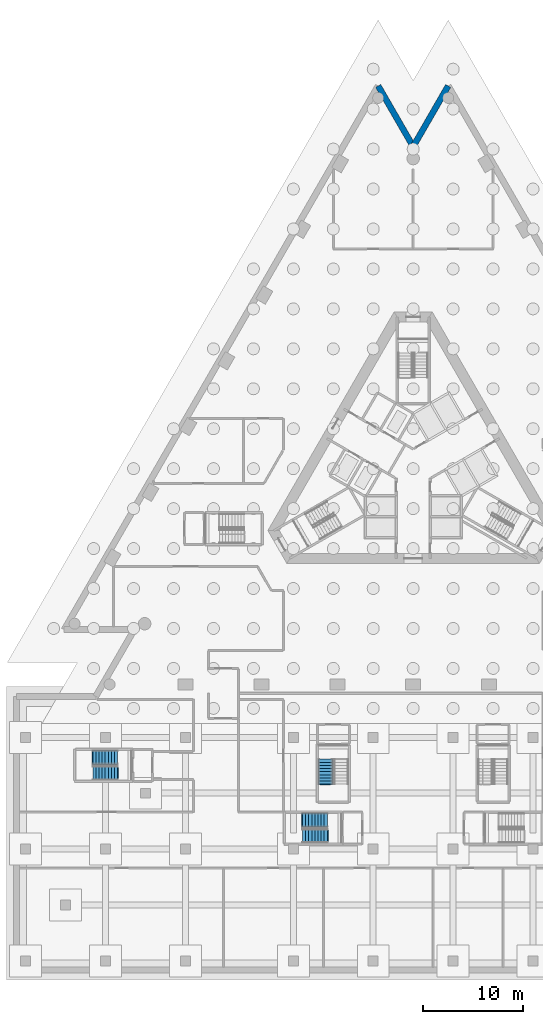
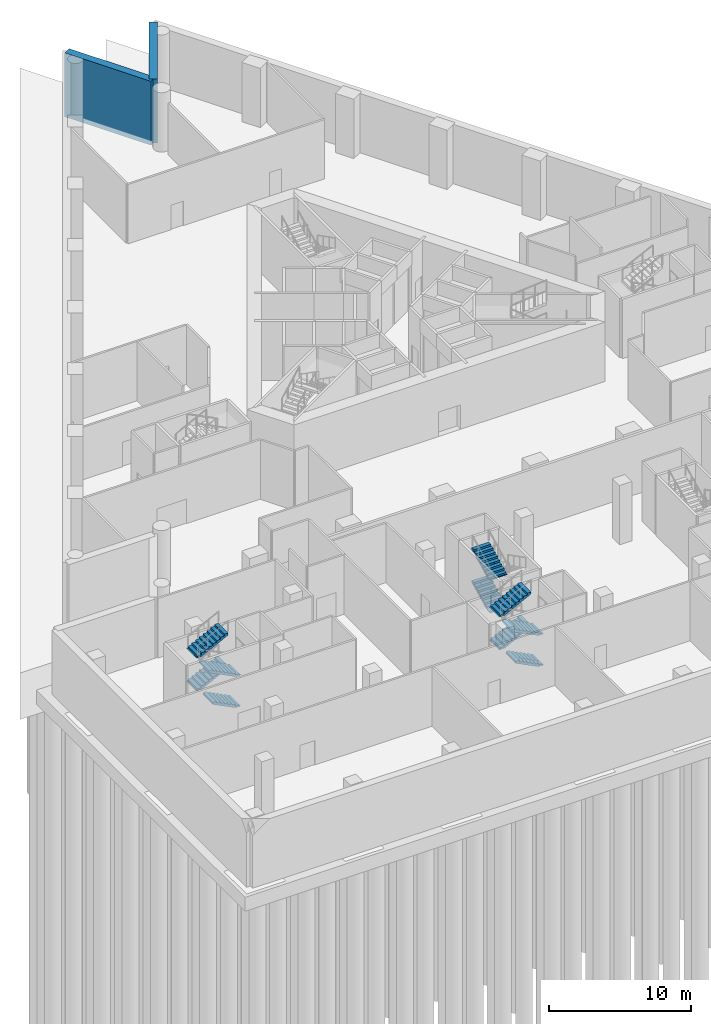
# One storey, part 11 of 20: 10 stair flights, 2 walls, 3 elements without a shape of their own.
"""IFC4 building model written with IfcOpenShell, lengths in metres."""

from ifc_helpers import new_model, si_unit, direction, frame, frame_2d, origin, place, context, subcontext, project, spatial, polyline, rectangle, outline, extrude, material, layer, layer_set, type_object, element, aggregate, save


model = new_model("IFC4")

# Units and contexts
model_context = context("Model", 3, precision=1e-05, world=origin(), true_north=direction((0.0, 1.0)))
body_context = subcontext(model_context, "Body", "Model", "MODEL_VIEW")
ifc_project = project(units=[si_unit("LENGTHUNIT", "METRE"), si_unit("AREAUNIT", "SQUARE_METRE"), si_unit("VOLUMEUNIT", "CUBIC_METRE"), si_unit("PLANEANGLEUNIT", "RADIAN"), si_unit("MASSUNIT", "GRAM", prefix="KILO")], contexts=[model_context])

# Site, building, storey
site_placement = place(None, origin())
site = spatial("IfcSite", under=ifc_project, at=site_placement, CompositionType="ELEMENT")
building_placement = place(site_placement, origin())
building = spatial("IfcBuilding", under=site, at=building_placement, Name="Triada Interchange Tower", CompositionType="ELEMENT")
storey_placement = place(building_placement, frame((0.0, 0.0, -5.5)))
storey = spatial("IfcBuildingStorey", under=building, at=storey_placement, Name="B1", CompositionType="ELEMENT", Elevation=-5.5)

# Walls
ifc_material_1 = material(Name="Concrete C30/37", Category="concrete")
ifc_layer = layer(ifc_material_1, 0.60009765625)
ifc_layer_set = layer_set([ifc_layer], Name="Basement retaining wall 600")
wall_type = type_object("IfcWallType", Name="Basement retaining wall 600", PredefinedType="SOLIDWALL", material=ifc_layer_set)
for number, where, z_axis, x_axis, name in (
    (1, (3.507080078125, 38.324951171875, -0.39990234375), (0.0, 0.0, 1.0), (-0.49996849935, -0.866043589929, 0.0), "Retaining wall 06"),
    (2, (0.0, 32.25, -0.39990234375), (0.0, 0.0, 1.0), (-0.49996849935, 0.866043589929, 0.0), "Retaining wall 07"),
):
    element("IfcWall", number, at=place(storey_placement, frame(where, z_axis=z_axis, x_axis=x_axis)), inside=storey, type_object=wall_type, Name=name, PredefinedType="SOLIDWALL", context=body_context, shape_type="SweptSolid", body=[
        extrude(rectangle(XDim=7.0146484375, YDim=0.60009765625, at=frame_2d((3.50732421875, 0.0))), origin(), (0.0, 0.0, 1.0), 5.5),
    ])

# Stair, stair flights
ifc_material_2 = material(Name="Concrete C35/45", Category="concrete")
stair_type = type_object("IfcStairType", Name="HALF TURN STAIR 1400", PredefinedType="HALF_TURN_STAIR", material=ifc_material_2)
stair_1_placement = place(storey_placement, origin())
stair_1 = element("IfcStair", 3, at=stair_1_placement, inside=storey, type_object=stair_type, Name="Exit stair SB1-4", PredefinedType="HALF_TURN_STAIR")
stair_flight_type = type_object("IfcStairFlightType", Name="STRAIGHT STAIR FLIGHT 1400", PredefinedType="STRAIGHT", material=ifc_material_2)
stair_flight_1_placement = place(storey_placement, frame((-8.60009765625, -36.800048828125, 0.0), z_axis=(0.0, 0.0, 1.0), x_axis=(-1.0, 0.0, 0.0)))
stair_flight_1 = element("IfcStairFlight", 4, at=stair_flight_1_placement, type_object=stair_flight_type, Name="SB1-4 flight 1", NumberOfRisers=8, NumberOfTreads=7, PredefinedType="STRAIGHT", RiserHeight=0.15714, TreadLength=0.31, context=body_context, shape_type="SweptSolid", body=[
    extrude(outline(polyline([(-0.10009765625, 0.0), (-0.10009765625, 0.02001953125), (0.0, 0.02001953125), (0.0, 0.1572265625), (0.31005859375, 0.1572265625), (0.31005859375, 0.314208984375), (0.6201171875, 0.314208984375), (0.6201171875, 0.471435546875), (0.929931640625, 0.471435546875), (0.929931640625, 0.628662109375), (1.239990234375, 0.628662109375), (1.239990234375, 0.78564453125), (1.550048828125, 0.78564453125), (1.550048828125, 0.94287109375), (1.860107421875, 0.94287109375), (1.860107421875, 1.10009765625), (2.169921875, 1.10009765625), (2.174072265625, 1.10009765625), (2.174072265625, 1.257080078125), (2.174072265625, 0.931884765625), (0.33154296875, 0.0), (-0.10009765625, 0.0)])), frame((0.0, 0.699951171875, 0.0), z_axis=(0.0, -1.0, 0.0), x_axis=(1.0, 0.0, 0.0)), (0.0, 0.0, 1.0), 0.46533203125),
    extrude(outline(polyline([(-0.10009765625, 0.0), (-0.10009765625, 0.02001953125), (0.0, 0.02001953125), (0.0, 0.1572265625), (0.31005859375, 0.1572265625), (0.31005859375, 0.314208984375), (0.6201171875, 0.314208984375), (0.6201171875, 0.471435546875), (0.929931640625, 0.471435546875), (0.929931640625, 0.628662109375), (1.239990234375, 0.628662109375), (1.239990234375, 0.78564453125), (1.550048828125, 0.78564453125), (1.550048828125, 0.94287109375), (1.860107421875, 0.94287109375), (1.860107421875, 1.10009765625), (2.169921875, 1.10009765625), (2.174072265625, 1.10009765625), (2.174072265625, 1.257080078125), (2.174072265625, 0.931884765625), (0.33154296875, 0.0), (-0.10009765625, 0.0)])), frame((0.0, 0.232666015625, 0.0), z_axis=(0.0, -1.0, 0.0), x_axis=(1.0, 0.0, 0.0)), (0.0, 0.0, 1.0), 0.46533203125),
    extrude(outline(polyline([(-0.10009765625, 0.0), (-0.10009765625, 0.02001953125), (0.0, 0.02001953125), (0.0, 0.1572265625), (0.31005859375, 0.1572265625), (0.31005859375, 0.314208984375), (0.6201171875, 0.314208984375), (0.6201171875, 0.471435546875), (0.929931640625, 0.471435546875), (0.929931640625, 0.628662109375), (1.239990234375, 0.628662109375), (1.239990234375, 0.78564453125), (1.550048828125, 0.78564453125), (1.550048828125, 0.94287109375), (1.860107421875, 0.94287109375), (1.860107421875, 1.10009765625), (2.169921875, 1.10009765625), (2.174072265625, 1.10009765625), (2.174072265625, 1.257080078125), (2.174072265625, 0.931884765625), (0.33154296875, 0.0), (-0.10009765625, 0.0)])), frame((0.0, -0.234619140625, 0.0), z_axis=(0.0, -1.0, 0.0), x_axis=(1.0, 0.0, 0.0)), (0.0, 0.0, 1.0), 0.46533203125),
])
stair_flight_2_placement = place(storey_placement, frame((-11.080078125, -35.199951171875, 1.257080078125), z_axis=(0.0, 0.0, 1.0), x_axis=(1.0, 0.0, 0.0)))
stair_flight_2 = element("IfcStairFlight", 5, at=stair_flight_2_placement, type_object=stair_flight_type, Name="SB1-4 flight 2", NumberOfRisers=9, NumberOfTreads=8, PredefinedType="STRAIGHT", RiserHeight=0.15714, TreadLength=0.31, context=body_context, shape_type="SweptSolid", body=[
    extrude(outline(polyline([(-0.10009765625, 0.0), (-0.10009765625, 0.02001953125), (0.0, 0.02001953125), (0.0, 0.1572265625), (0.31005859375, 0.1572265625), (0.31005859375, 0.314208984375), (0.6201171875, 0.314208984375), (0.6201171875, 0.471435546875), (0.929931640625, 0.471435546875), (0.929931640625, 0.628662109375), (1.239990234375, 0.628662109375), (1.239990234375, 0.78564453125), (1.550048828125, 0.78564453125), (1.550048828125, 0.94287109375), (1.860107421875, 0.94287109375), (1.860107421875, 1.10009765625), (2.169921875, 1.10009765625), (2.169921875, 1.257080078125), (2.47998046875, 1.257080078125), (2.48388671875, 1.257080078125), (2.48388671875, 1.414306640625), (2.48388671875, 1.089111328125), (0.33154296875, 0.0), (-0.10009765625, 0.0)])), frame((0.0, 0.699951171875, 0.0), z_axis=(0.0, -1.0, 0.0), x_axis=(1.0, 0.0, 0.0)), (0.0, 0.0, 1.0), 0.46533203125),
    extrude(outline(polyline([(-0.10009765625, 0.0), (-0.10009765625, 0.02001953125), (0.0, 0.02001953125), (0.0, 0.1572265625), (0.31005859375, 0.1572265625), (0.31005859375, 0.314208984375), (0.6201171875, 0.314208984375), (0.6201171875, 0.471435546875), (0.929931640625, 0.471435546875), (0.929931640625, 0.628662109375), (1.239990234375, 0.628662109375), (1.239990234375, 0.78564453125), (1.550048828125, 0.78564453125), (1.550048828125, 0.94287109375), (1.860107421875, 0.94287109375), (1.860107421875, 1.10009765625), (2.169921875, 1.10009765625), (2.169921875, 1.257080078125), (2.47998046875, 1.257080078125), (2.48388671875, 1.257080078125), (2.48388671875, 1.414306640625), (2.48388671875, 1.089111328125), (0.33154296875, 0.0), (-0.10009765625, 0.0)])), frame((0.0, 0.232666015625, 0.0), z_axis=(0.0, -1.0, 0.0), x_axis=(1.0, 0.0, 0.0)), (0.0, 0.0, 1.0), 0.46533203125),
    extrude(outline(polyline([(-0.10009765625, 0.0), (-0.10009765625, 0.02001953125), (0.0, 0.02001953125), (0.0, 0.1572265625), (0.31005859375, 0.1572265625), (0.31005859375, 0.314208984375), (0.6201171875, 0.314208984375), (0.6201171875, 0.471435546875), (0.929931640625, 0.471435546875), (0.929931640625, 0.628662109375), (1.239990234375, 0.628662109375), (1.239990234375, 0.78564453125), (1.550048828125, 0.78564453125), (1.550048828125, 0.94287109375), (1.860107421875, 0.94287109375), (1.860107421875, 1.10009765625), (2.169921875, 1.10009765625), (2.169921875, 1.257080078125), (2.47998046875, 1.257080078125), (2.48388671875, 1.257080078125), (2.48388671875, 1.414306640625), (2.48388671875, 1.089111328125), (0.33154296875, 0.0), (-0.10009765625, 0.0)])), frame((0.0, -0.234619140625, 0.0), z_axis=(0.0, -1.0, 0.0), x_axis=(1.0, 0.0, 0.0)), (0.0, 0.0, 1.0), 0.46533203125),
])
stair_flight_3_placement = place(storey_placement, frame((-8.60009765625, -36.800048828125, 2.67138671875), z_axis=(0.0, 0.0, 1.0), x_axis=(-1.0, 0.0, 0.0)))
stair_flight_3 = element("IfcStairFlight", 6, at=stair_flight_3_placement, type_object=stair_flight_type, Name="SB1-4 flight 3", NumberOfRisers=9, NumberOfTreads=8, PredefinedType="STRAIGHT", RiserHeight=0.15714, TreadLength=0.31, context=body_context, shape_type="SweptSolid", body=[
    extrude(outline(polyline([(-0.10009765625, 0.0), (-0.10009765625, 0.02001953125), (0.0, 0.02001953125), (0.0, 0.1572265625), (0.31005859375, 0.1572265625), (0.31005859375, 0.314208984375), (0.6201171875, 0.314208984375), (0.6201171875, 0.471435546875), (0.929931640625, 0.471435546875), (0.929931640625, 0.628662109375), (1.239990234375, 0.628662109375), (1.239990234375, 0.78564453125), (1.550048828125, 0.78564453125), (1.550048828125, 0.94287109375), (1.860107421875, 0.94287109375), (1.860107421875, 1.10009765625), (2.169921875, 1.10009765625), (2.169921875, 1.257080078125), (2.47998046875, 1.257080078125), (2.48388671875, 1.257080078125), (2.48388671875, 1.414306640625), (2.48388671875, 1.089111328125), (0.33154296875, 0.0), (-0.10009765625, 0.0)])), frame((0.0, 0.699951171875, 0.0), z_axis=(0.0, -1.0, 0.0), x_axis=(1.0, 0.0, 0.0)), (0.0, 0.0, 1.0), 0.46533203125),
    extrude(outline(polyline([(-0.10009765625, 0.0), (-0.10009765625, 0.02001953125), (0.0, 0.02001953125), (0.0, 0.1572265625), (0.31005859375, 0.1572265625), (0.31005859375, 0.314208984375), (0.6201171875, 0.314208984375), (0.6201171875, 0.471435546875), (0.929931640625, 0.471435546875), (0.929931640625, 0.628662109375), (1.239990234375, 0.628662109375), (1.239990234375, 0.78564453125), (1.550048828125, 0.78564453125), (1.550048828125, 0.94287109375), (1.860107421875, 0.94287109375), (1.860107421875, 1.10009765625), (2.169921875, 1.10009765625), (2.169921875, 1.257080078125), (2.47998046875, 1.257080078125), (2.48388671875, 1.257080078125), (2.48388671875, 1.414306640625), (2.48388671875, 1.089111328125), (0.33154296875, 0.0), (-0.10009765625, 0.0)])), frame((0.0, 0.232666015625, 0.0), z_axis=(0.0, -1.0, 0.0), x_axis=(1.0, 0.0, 0.0)), (0.0, 0.0, 1.0), 0.46533203125),
    extrude(outline(polyline([(-0.10009765625, 0.0), (-0.10009765625, 0.02001953125), (0.0, 0.02001953125), (0.0, 0.1572265625), (0.31005859375, 0.1572265625), (0.31005859375, 0.314208984375), (0.6201171875, 0.314208984375), (0.6201171875, 0.471435546875), (0.929931640625, 0.471435546875), (0.929931640625, 0.628662109375), (1.239990234375, 0.628662109375), (1.239990234375, 0.78564453125), (1.550048828125, 0.78564453125), (1.550048828125, 0.94287109375), (1.860107421875, 0.94287109375), (1.860107421875, 1.10009765625), (2.169921875, 1.10009765625), (2.169921875, 1.257080078125), (2.47998046875, 1.257080078125), (2.48388671875, 1.257080078125), (2.48388671875, 1.414306640625), (2.48388671875, 1.089111328125), (0.33154296875, 0.0), (-0.10009765625, 0.0)])), frame((0.0, -0.234619140625, 0.0), z_axis=(0.0, -1.0, 0.0), x_axis=(1.0, 0.0, 0.0)), (0.0, 0.0, 1.0), 0.46533203125),
])
stair_flight_4_placement = place(storey_placement, frame((-11.080078125, -35.199951171875, 4.085693359375), z_axis=(0.0, 0.0, 1.0), x_axis=(1.0, 0.0, 0.0)))
stair_flight_4 = element("IfcStairFlight", 7, at=stair_flight_4_placement, type_object=stair_flight_type, Name="SB1-4 flight 4", NumberOfRisers=9, NumberOfTreads=8, PredefinedType="STRAIGHT", RiserHeight=0.15714, TreadLength=0.31, context=body_context, shape_type="SweptSolid", body=[
    extrude(outline(polyline([(-0.10009765625, 0.0), (-0.10009765625, 0.02001953125), (0.0, 0.02001953125), (0.0, 0.1572265625), (0.31005859375, 0.1572265625), (0.31005859375, 0.314208984375), (0.6201171875, 0.314208984375), (0.6201171875, 0.471435546875), (0.929931640625, 0.471435546875), (0.929931640625, 0.628662109375), (1.239990234375, 0.628662109375), (1.239990234375, 0.78564453125), (1.550048828125, 0.78564453125), (1.550048828125, 0.94287109375), (1.860107421875, 0.94287109375), (1.860107421875, 1.10009765625), (2.169921875, 1.10009765625), (2.169921875, 1.257080078125), (2.47998046875, 1.257080078125), (2.48388671875, 1.257080078125), (2.48388671875, 1.414306640625), (2.48388671875, 1.089111328125), (0.33154296875, 0.0), (-0.10009765625, 0.0)])), frame((0.0, 0.699951171875, 0.0), z_axis=(0.0, -1.0, 0.0), x_axis=(1.0, 0.0, 0.0)), (0.0, 0.0, 1.0), 0.46533203125),
    extrude(outline(polyline([(-0.10009765625, 0.0), (-0.10009765625, 0.02001953125), (0.0, 0.02001953125), (0.0, 0.1572265625), (0.31005859375, 0.1572265625), (0.31005859375, 0.314208984375), (0.6201171875, 0.314208984375), (0.6201171875, 0.471435546875), (0.929931640625, 0.471435546875), (0.929931640625, 0.628662109375), (1.239990234375, 0.628662109375), (1.239990234375, 0.78564453125), (1.550048828125, 0.78564453125), (1.550048828125, 0.94287109375), (1.860107421875, 0.94287109375), (1.860107421875, 1.10009765625), (2.169921875, 1.10009765625), (2.169921875, 1.257080078125), (2.47998046875, 1.257080078125), (2.48388671875, 1.257080078125), (2.48388671875, 1.414306640625), (2.48388671875, 1.089111328125), (0.33154296875, 0.0), (-0.10009765625, 0.0)])), frame((0.0, 0.232666015625, 0.0), z_axis=(0.0, -1.0, 0.0), x_axis=(1.0, 0.0, 0.0)), (0.0, 0.0, 1.0), 0.46533203125),
    extrude(outline(polyline([(-0.10009765625, 0.0), (-0.10009765625, 0.02001953125), (0.0, 0.02001953125), (0.0, 0.1572265625), (0.31005859375, 0.1572265625), (0.31005859375, 0.314208984375), (0.6201171875, 0.314208984375), (0.6201171875, 0.471435546875), (0.929931640625, 0.471435546875), (0.929931640625, 0.628662109375), (1.239990234375, 0.628662109375), (1.239990234375, 0.78564453125), (1.550048828125, 0.78564453125), (1.550048828125, 0.94287109375), (1.860107421875, 0.94287109375), (1.860107421875, 1.10009765625), (2.169921875, 1.10009765625), (2.169921875, 1.257080078125), (2.47998046875, 1.257080078125), (2.48388671875, 1.257080078125), (2.48388671875, 1.414306640625), (2.48388671875, 1.089111328125), (0.33154296875, 0.0), (-0.10009765625, 0.0)])), frame((0.0, -0.234619140625, 0.0), z_axis=(0.0, -1.0, 0.0), x_axis=(1.0, 0.0, 0.0)), (0.0, 0.0, 1.0), 0.46533203125),
])
aggregate(stair_1, [stair_flight_1, stair_flight_2, stair_flight_3, stair_flight_4])

stair_2_placement = place(storey_placement, origin())
stair_2 = element("IfcStair", 8, at=stair_2_placement, inside=storey, type_object=stair_type, Name="Exit stair SB1-8", PredefinedType="HALF_TURN_STAIR")
stair_flight_5_placement = place(storey_placement, frame((-29.60009765625, -30.5, 0.0), z_axis=(0.0, 0.0, 1.0), x_axis=(-1.0, 0.0, 0.0)))
stair_flight_5 = element("IfcStairFlight", 9, at=stair_flight_5_placement, type_object=stair_flight_type, Name="SB1-8 flight 1", NumberOfRisers=8, NumberOfTreads=7, PredefinedType="STRAIGHT", RiserHeight=0.15714, TreadLength=0.31, context=body_context, shape_type="SweptSolid", body=[
    extrude(outline(polyline([(-0.10009765625, 0.0), (-0.10009765625, 0.02001953125), (0.0, 0.02001953125), (0.0, 0.1572265625), (0.31005859375, 0.1572265625), (0.31005859375, 0.314208984375), (0.6201171875, 0.314208984375), (0.6201171875, 0.471435546875), (0.929931640625, 0.471435546875), (0.929931640625, 0.628662109375), (1.239990234375, 0.628662109375), (1.239990234375, 0.78564453125), (1.550048828125, 0.78564453125), (1.550048828125, 0.94287109375), (1.860107421875, 0.94287109375), (1.860107421875, 1.10009765625), (2.169921875, 1.10009765625), (2.174072265625, 1.10009765625), (2.174072265625, 1.257080078125), (2.174072265625, 0.931884765625), (0.33154296875, 0.0), (-0.10009765625, 0.0)])), frame((0.0, 0.699951171875, 0.0), z_axis=(0.0, -1.0, 0.0), x_axis=(1.0, 0.0, 0.0)), (0.0, 0.0, 1.0), 0.46533203125),
    extrude(outline(polyline([(-0.10009765625, 0.0), (-0.10009765625, 0.02001953125), (0.0, 0.02001953125), (0.0, 0.1572265625), (0.31005859375, 0.1572265625), (0.31005859375, 0.314208984375), (0.6201171875, 0.314208984375), (0.6201171875, 0.471435546875), (0.929931640625, 0.471435546875), (0.929931640625, 0.628662109375), (1.239990234375, 0.628662109375), (1.239990234375, 0.78564453125), (1.550048828125, 0.78564453125), (1.550048828125, 0.94287109375), (1.860107421875, 0.94287109375), (1.860107421875, 1.10009765625), (2.169921875, 1.10009765625), (2.174072265625, 1.10009765625), (2.174072265625, 1.257080078125), (2.174072265625, 0.931884765625), (0.33154296875, 0.0), (-0.10009765625, 0.0)])), frame((0.0, 0.232666015625, 0.0), z_axis=(0.0, -1.0, 0.0), x_axis=(1.0, 0.0, 0.0)), (0.0, 0.0, 1.0), 0.46533203125),
    extrude(outline(polyline([(-0.10009765625, 0.0), (-0.10009765625, 0.02001953125), (0.0, 0.02001953125), (0.0, 0.1572265625), (0.31005859375, 0.1572265625), (0.31005859375, 0.314208984375), (0.6201171875, 0.314208984375), (0.6201171875, 0.471435546875), (0.929931640625, 0.471435546875), (0.929931640625, 0.628662109375), (1.239990234375, 0.628662109375), (1.239990234375, 0.78564453125), (1.550048828125, 0.78564453125), (1.550048828125, 0.94287109375), (1.860107421875, 0.94287109375), (1.860107421875, 1.10009765625), (2.169921875, 1.10009765625), (2.174072265625, 1.10009765625), (2.174072265625, 1.257080078125), (2.174072265625, 0.931884765625), (0.33154296875, 0.0), (-0.10009765625, 0.0)])), frame((0.0, -0.234619140625, 0.0), z_axis=(0.0, -1.0, 0.0), x_axis=(1.0, 0.0, 0.0)), (0.0, 0.0, 1.0), 0.46533203125),
])
stair_flight_6_placement = place(storey_placement, frame((-32.080078125, -28.89990234375, 1.257080078125), z_axis=(0.0, 0.0, 1.0), x_axis=(1.0, 0.0, 0.0)))
stair_flight_6 = element("IfcStairFlight", 10, at=stair_flight_6_placement, type_object=stair_flight_type, Name="SB1-8 flight 2", NumberOfRisers=9, NumberOfTreads=8, PredefinedType="STRAIGHT", RiserHeight=0.15714, TreadLength=0.31, context=body_context, shape_type="SweptSolid", body=[
    extrude(outline(polyline([(-0.10009765625, 0.0), (-0.10009765625, 0.02001953125), (0.0, 0.02001953125), (0.0, 0.1572265625), (0.31005859375, 0.1572265625), (0.31005859375, 0.314208984375), (0.6201171875, 0.314208984375), (0.6201171875, 0.471435546875), (0.929931640625, 0.471435546875), (0.929931640625, 0.628662109375), (1.239990234375, 0.628662109375), (1.239990234375, 0.78564453125), (1.550048828125, 0.78564453125), (1.550048828125, 0.94287109375), (1.860107421875, 0.94287109375), (1.860107421875, 1.10009765625), (2.169921875, 1.10009765625), (2.169921875, 1.257080078125), (2.47998046875, 1.257080078125), (2.48388671875, 1.257080078125), (2.48388671875, 1.414306640625), (2.48388671875, 1.089111328125), (0.33154296875, 0.0), (-0.10009765625, 0.0)])), frame((0.0, 0.699951171875, 0.0), z_axis=(0.0, -1.0, 0.0), x_axis=(1.0, 0.0, 0.0)), (0.0, 0.0, 1.0), 0.46533203125),
    extrude(outline(polyline([(-0.10009765625, 0.0), (-0.10009765625, 0.02001953125), (0.0, 0.02001953125), (0.0, 0.1572265625), (0.31005859375, 0.1572265625), (0.31005859375, 0.314208984375), (0.6201171875, 0.314208984375), (0.6201171875, 0.471435546875), (0.929931640625, 0.471435546875), (0.929931640625, 0.628662109375), (1.239990234375, 0.628662109375), (1.239990234375, 0.78564453125), (1.550048828125, 0.78564453125), (1.550048828125, 0.94287109375), (1.860107421875, 0.94287109375), (1.860107421875, 1.10009765625), (2.169921875, 1.10009765625), (2.169921875, 1.257080078125), (2.47998046875, 1.257080078125), (2.48388671875, 1.257080078125), (2.48388671875, 1.414306640625), (2.48388671875, 1.089111328125), (0.33154296875, 0.0), (-0.10009765625, 0.0)])), frame((0.0, 0.232666015625, 0.0), z_axis=(0.0, -1.0, 0.0), x_axis=(1.0, 0.0, 0.0)), (0.0, 0.0, 1.0), 0.46533203125),
    extrude(outline(polyline([(-0.10009765625, 0.0), (-0.10009765625, 0.02001953125), (0.0, 0.02001953125), (0.0, 0.1572265625), (0.31005859375, 0.1572265625), (0.31005859375, 0.314208984375), (0.6201171875, 0.314208984375), (0.6201171875, 0.471435546875), (0.929931640625, 0.471435546875), (0.929931640625, 0.628662109375), (1.239990234375, 0.628662109375), (1.239990234375, 0.78564453125), (1.550048828125, 0.78564453125), (1.550048828125, 0.94287109375), (1.860107421875, 0.94287109375), (1.860107421875, 1.10009765625), (2.169921875, 1.10009765625), (2.169921875, 1.257080078125), (2.47998046875, 1.257080078125), (2.48388671875, 1.257080078125), (2.48388671875, 1.414306640625), (2.48388671875, 1.089111328125), (0.33154296875, 0.0), (-0.10009765625, 0.0)])), frame((0.0, -0.234619140625, 0.0), z_axis=(0.0, -1.0, 0.0), x_axis=(1.0, 0.0, 0.0)), (0.0, 0.0, 1.0), 0.46533203125),
])
stair_flight_7_placement = place(storey_placement, frame((-29.60009765625, -30.5, 2.67138671875), z_axis=(0.0, 0.0, 1.0), x_axis=(-1.0, 0.0, 0.0)))
stair_flight_7 = element("IfcStairFlight", 11, at=stair_flight_7_placement, type_object=stair_flight_type, Name="SB1-8 flight 3", NumberOfRisers=9, NumberOfTreads=8, PredefinedType="STRAIGHT", RiserHeight=0.15714, TreadLength=0.31, context=body_context, shape_type="SweptSolid", body=[
    extrude(outline(polyline([(-0.10009765625, 0.0), (-0.10009765625, 0.02001953125), (0.0, 0.02001953125), (0.0, 0.1572265625), (0.31005859375, 0.1572265625), (0.31005859375, 0.314208984375), (0.6201171875, 0.314208984375), (0.6201171875, 0.471435546875), (0.929931640625, 0.471435546875), (0.929931640625, 0.628662109375), (1.239990234375, 0.628662109375), (1.239990234375, 0.78564453125), (1.550048828125, 0.78564453125), (1.550048828125, 0.94287109375), (1.860107421875, 0.94287109375), (1.860107421875, 1.10009765625), (2.169921875, 1.10009765625), (2.169921875, 1.257080078125), (2.47998046875, 1.257080078125), (2.48388671875, 1.257080078125), (2.48388671875, 1.414306640625), (2.48388671875, 1.089111328125), (0.33154296875, 0.0), (-0.10009765625, 0.0)])), frame((0.0, 0.699951171875, 0.0), z_axis=(0.0, -1.0, 0.0), x_axis=(1.0, 0.0, 0.0)), (0.0, 0.0, 1.0), 0.46533203125),
    extrude(outline(polyline([(-0.10009765625, 0.0), (-0.10009765625, 0.02001953125), (0.0, 0.02001953125), (0.0, 0.1572265625), (0.31005859375, 0.1572265625), (0.31005859375, 0.314208984375), (0.6201171875, 0.314208984375), (0.6201171875, 0.471435546875), (0.929931640625, 0.471435546875), (0.929931640625, 0.628662109375), (1.239990234375, 0.628662109375), (1.239990234375, 0.78564453125), (1.550048828125, 0.78564453125), (1.550048828125, 0.94287109375), (1.860107421875, 0.94287109375), (1.860107421875, 1.10009765625), (2.169921875, 1.10009765625), (2.169921875, 1.257080078125), (2.47998046875, 1.257080078125), (2.48388671875, 1.257080078125), (2.48388671875, 1.414306640625), (2.48388671875, 1.089111328125), (0.33154296875, 0.0), (-0.10009765625, 0.0)])), frame((0.0, 0.232666015625, 0.0), z_axis=(0.0, -1.0, 0.0), x_axis=(1.0, 0.0, 0.0)), (0.0, 0.0, 1.0), 0.46533203125),
    extrude(outline(polyline([(-0.10009765625, 0.0), (-0.10009765625, 0.02001953125), (0.0, 0.02001953125), (0.0, 0.1572265625), (0.31005859375, 0.1572265625), (0.31005859375, 0.314208984375), (0.6201171875, 0.314208984375), (0.6201171875, 0.471435546875), (0.929931640625, 0.471435546875), (0.929931640625, 0.628662109375), (1.239990234375, 0.628662109375), (1.239990234375, 0.78564453125), (1.550048828125, 0.78564453125), (1.550048828125, 0.94287109375), (1.860107421875, 0.94287109375), (1.860107421875, 1.10009765625), (2.169921875, 1.10009765625), (2.169921875, 1.257080078125), (2.47998046875, 1.257080078125), (2.48388671875, 1.257080078125), (2.48388671875, 1.414306640625), (2.48388671875, 1.089111328125), (0.33154296875, 0.0), (-0.10009765625, 0.0)])), frame((0.0, -0.234619140625, 0.0), z_axis=(0.0, -1.0, 0.0), x_axis=(1.0, 0.0, 0.0)), (0.0, 0.0, 1.0), 0.46533203125),
])
stair_flight_8_placement = place(storey_placement, frame((-32.080078125, -28.89990234375, 4.085693359375), z_axis=(0.0, 0.0, 1.0), x_axis=(1.0, 0.0, 0.0)))
stair_flight_8 = element("IfcStairFlight", 12, at=stair_flight_8_placement, type_object=stair_flight_type, Name="SB1-8 flight 4", NumberOfRisers=9, NumberOfTreads=8, PredefinedType="STRAIGHT", RiserHeight=0.15714, TreadLength=0.31, context=body_context, shape_type="SweptSolid", body=[
    extrude(outline(polyline([(-0.10009765625, 0.0), (-0.10009765625, 0.02001953125), (0.0, 0.02001953125), (0.0, 0.1572265625), (0.31005859375, 0.1572265625), (0.31005859375, 0.314208984375), (0.6201171875, 0.314208984375), (0.6201171875, 0.471435546875), (0.929931640625, 0.471435546875), (0.929931640625, 0.628662109375), (1.239990234375, 0.628662109375), (1.239990234375, 0.78564453125), (1.550048828125, 0.78564453125), (1.550048828125, 0.94287109375), (1.860107421875, 0.94287109375), (1.860107421875, 1.10009765625), (2.169921875, 1.10009765625), (2.169921875, 1.257080078125), (2.47998046875, 1.257080078125), (2.48388671875, 1.257080078125), (2.48388671875, 1.414306640625), (2.48388671875, 1.089111328125), (0.33154296875, 0.0), (-0.10009765625, 0.0)])), frame((0.0, 0.699951171875, 0.0), z_axis=(0.0, -1.0, 0.0), x_axis=(1.0, 0.0, 0.0)), (0.0, 0.0, 1.0), 0.46533203125),
    extrude(outline(polyline([(-0.10009765625, 0.0), (-0.10009765625, 0.02001953125), (0.0, 0.02001953125), (0.0, 0.1572265625), (0.31005859375, 0.1572265625), (0.31005859375, 0.314208984375), (0.6201171875, 0.314208984375), (0.6201171875, 0.471435546875), (0.929931640625, 0.471435546875), (0.929931640625, 0.628662109375), (1.239990234375, 0.628662109375), (1.239990234375, 0.78564453125), (1.550048828125, 0.78564453125), (1.550048828125, 0.94287109375), (1.860107421875, 0.94287109375), (1.860107421875, 1.10009765625), (2.169921875, 1.10009765625), (2.169921875, 1.257080078125), (2.47998046875, 1.257080078125), (2.48388671875, 1.257080078125), (2.48388671875, 1.414306640625), (2.48388671875, 1.089111328125), (0.33154296875, 0.0), (-0.10009765625, 0.0)])), frame((0.0, 0.232666015625, 0.0), z_axis=(0.0, -1.0, 0.0), x_axis=(1.0, 0.0, 0.0)), (0.0, 0.0, 1.0), 0.46533203125),
    extrude(outline(polyline([(-0.10009765625, 0.0), (-0.10009765625, 0.02001953125), (0.0, 0.02001953125), (0.0, 0.1572265625), (0.31005859375, 0.1572265625), (0.31005859375, 0.314208984375), (0.6201171875, 0.314208984375), (0.6201171875, 0.471435546875), (0.929931640625, 0.471435546875), (0.929931640625, 0.628662109375), (1.239990234375, 0.628662109375), (1.239990234375, 0.78564453125), (1.550048828125, 0.78564453125), (1.550048828125, 0.94287109375), (1.860107421875, 0.94287109375), (1.860107421875, 1.10009765625), (2.169921875, 1.10009765625), (2.169921875, 1.257080078125), (2.47998046875, 1.257080078125), (2.48388671875, 1.257080078125), (2.48388671875, 1.414306640625), (2.48388671875, 1.089111328125), (0.33154296875, 0.0), (-0.10009765625, 0.0)])), frame((0.0, -0.234619140625, 0.0), z_axis=(0.0, -1.0, 0.0), x_axis=(1.0, 0.0, 0.0)), (0.0, 0.0, 1.0), 0.46533203125),
])
aggregate(stair_2, [stair_flight_5, stair_flight_6, stair_flight_7, stair_flight_8])

stair_3_placement = place(storey_placement, origin())
stair_3 = element("IfcStair", 13, at=stair_3_placement, inside=storey, type_object=stair_type, Name="Exit stair SB1-11", PredefinedType="HALF_TURN_STAIR")
stair_flight_9_placement = place(storey_placement, frame((-8.800048828125, -31.580078125, 1.257080078125), z_axis=(0.0, 0.0, 1.0), x_axis=(0.0, 1.0, 0.0)))
stair_flight_9 = element("IfcStairFlight", 14, at=stair_flight_9_placement, type_object=stair_flight_type, Name="SB1-11 flight 2", NumberOfRisers=9, NumberOfTreads=8, PredefinedType="STRAIGHT", RiserHeight=0.15714, TreadLength=0.31, context=body_context, shape_type="SweptSolid", body=[
    extrude(outline(polyline([(-0.10009765625, 0.0), (-0.10009765625, 0.02001953125), (0.0, 0.02001953125), (0.0, 0.1572265625), (0.31005859375, 0.1572265625), (0.31005859375, 0.314208984375), (0.6201171875, 0.314208984375), (0.6201171875, 0.471435546875), (0.929931640625, 0.471435546875), (0.929931640625, 0.628662109375), (1.239990234375, 0.628662109375), (1.239990234375, 0.78564453125), (1.550048828125, 0.78564453125), (1.550048828125, 0.94287109375), (1.860107421875, 0.94287109375), (1.860107421875, 1.10009765625), (2.169921875, 1.10009765625), (2.169921875, 1.257080078125), (2.47998046875, 1.257080078125), (2.48388671875, 1.257080078125), (2.48388671875, 1.414306640625), (2.48388671875, 1.089111328125), (0.33154296875, 0.0), (-0.10009765625, 0.0)])), frame((0.0, 0.699951171875, 0.0), z_axis=(0.0, -1.0, 0.0), x_axis=(1.0, 0.0, 0.0)), (0.0, 0.0, 1.0), 0.46533203125),
    extrude(outline(polyline([(-0.10009765625, 0.0), (-0.10009765625, 0.02001953125), (0.0, 0.02001953125), (0.0, 0.1572265625), (0.31005859375, 0.1572265625), (0.31005859375, 0.314208984375), (0.6201171875, 0.314208984375), (0.6201171875, 0.471435546875), (0.929931640625, 0.471435546875), (0.929931640625, 0.628662109375), (1.239990234375, 0.628662109375), (1.239990234375, 0.78564453125), (1.550048828125, 0.78564453125), (1.550048828125, 0.94287109375), (1.860107421875, 0.94287109375), (1.860107421875, 1.10009765625), (2.169921875, 1.10009765625), (2.169921875, 1.257080078125), (2.47998046875, 1.257080078125), (2.48388671875, 1.257080078125), (2.48388671875, 1.414306640625), (2.48388671875, 1.089111328125), (0.33154296875, 0.0), (-0.10009765625, 0.0)])), frame((0.0, 0.232666015625, 0.0), z_axis=(0.0, -1.0, 0.0), x_axis=(1.0, 0.0, 0.0)), (0.0, 0.0, 1.0), 0.46533203125),
    extrude(outline(polyline([(-0.10009765625, 0.0), (-0.10009765625, 0.02001953125), (0.0, 0.02001953125), (0.0, 0.1572265625), (0.31005859375, 0.1572265625), (0.31005859375, 0.314208984375), (0.6201171875, 0.314208984375), (0.6201171875, 0.471435546875), (0.929931640625, 0.471435546875), (0.929931640625, 0.628662109375), (1.239990234375, 0.628662109375), (1.239990234375, 0.78564453125), (1.550048828125, 0.78564453125), (1.550048828125, 0.94287109375), (1.860107421875, 0.94287109375), (1.860107421875, 1.10009765625), (2.169921875, 1.10009765625), (2.169921875, 1.257080078125), (2.47998046875, 1.257080078125), (2.48388671875, 1.257080078125), (2.48388671875, 1.414306640625), (2.48388671875, 1.089111328125), (0.33154296875, 0.0), (-0.10009765625, 0.0)])), frame((0.0, -0.234619140625, 0.0), z_axis=(0.0, -1.0, 0.0), x_axis=(1.0, 0.0, 0.0)), (0.0, 0.0, 1.0), 0.46533203125),
])
stair_flight_10_placement = place(storey_placement, frame((-8.800048828125, -31.580078125, 4.085693359375), z_axis=(0.0, 0.0, 1.0), x_axis=(0.0, 1.0, 0.0)))
stair_flight_10 = element("IfcStairFlight", 15, at=stair_flight_10_placement, type_object=stair_flight_type, Name="SB1-11 flight 4", NumberOfRisers=9, NumberOfTreads=8, PredefinedType="STRAIGHT", RiserHeight=0.15714, TreadLength=0.31, context=body_context, shape_type="SweptSolid", body=[
    extrude(outline(polyline([(-0.10009765625, 0.0), (-0.10009765625, 0.02001953125), (0.0, 0.02001953125), (0.0, 0.1572265625), (0.31005859375, 0.1572265625), (0.31005859375, 0.314208984375), (0.6201171875, 0.314208984375), (0.6201171875, 0.471435546875), (0.929931640625, 0.471435546875), (0.929931640625, 0.628662109375), (1.239990234375, 0.628662109375), (1.239990234375, 0.78564453125), (1.550048828125, 0.78564453125), (1.550048828125, 0.94287109375), (1.860107421875, 0.94287109375), (1.860107421875, 1.10009765625), (2.169921875, 1.10009765625), (2.169921875, 1.257080078125), (2.47998046875, 1.257080078125), (2.48388671875, 1.257080078125), (2.48388671875, 1.414306640625), (2.48388671875, 1.089111328125), (0.33154296875, 0.0), (-0.10009765625, 0.0)])), frame((0.0, 0.699951171875, 0.0), z_axis=(0.0, -1.0, 0.0), x_axis=(1.0, 0.0, 0.0)), (0.0, 0.0, 1.0), 0.46533203125),
    extrude(outline(polyline([(-0.10009765625, 0.0), (-0.10009765625, 0.02001953125), (0.0, 0.02001953125), (0.0, 0.1572265625), (0.31005859375, 0.1572265625), (0.31005859375, 0.314208984375), (0.6201171875, 0.314208984375), (0.6201171875, 0.471435546875), (0.929931640625, 0.471435546875), (0.929931640625, 0.628662109375), (1.239990234375, 0.628662109375), (1.239990234375, 0.78564453125), (1.550048828125, 0.78564453125), (1.550048828125, 0.94287109375), (1.860107421875, 0.94287109375), (1.860107421875, 1.10009765625), (2.169921875, 1.10009765625), (2.169921875, 1.257080078125), (2.47998046875, 1.257080078125), (2.48388671875, 1.257080078125), (2.48388671875, 1.414306640625), (2.48388671875, 1.089111328125), (0.33154296875, 0.0), (-0.10009765625, 0.0)])), frame((0.0, 0.232666015625, 0.0), z_axis=(0.0, -1.0, 0.0), x_axis=(1.0, 0.0, 0.0)), (0.0, 0.0, 1.0), 0.46533203125),
    extrude(outline(polyline([(-0.10009765625, 0.0), (-0.10009765625, 0.02001953125), (0.0, 0.02001953125), (0.0, 0.1572265625), (0.31005859375, 0.1572265625), (0.31005859375, 0.314208984375), (0.6201171875, 0.314208984375), (0.6201171875, 0.471435546875), (0.929931640625, 0.471435546875), (0.929931640625, 0.628662109375), (1.239990234375, 0.628662109375), (1.239990234375, 0.78564453125), (1.550048828125, 0.78564453125), (1.550048828125, 0.94287109375), (1.860107421875, 0.94287109375), (1.860107421875, 1.10009765625), (2.169921875, 1.10009765625), (2.169921875, 1.257080078125), (2.47998046875, 1.257080078125), (2.48388671875, 1.257080078125), (2.48388671875, 1.414306640625), (2.48388671875, 1.089111328125), (0.33154296875, 0.0), (-0.10009765625, 0.0)])), frame((0.0, -0.234619140625, 0.0), z_axis=(0.0, -1.0, 0.0), x_axis=(1.0, 0.0, 0.0)), (0.0, 0.0, 1.0), 0.46533203125),
])
aggregate(stair_3, [stair_flight_9, stair_flight_10])

save(model, "model.ifc")
